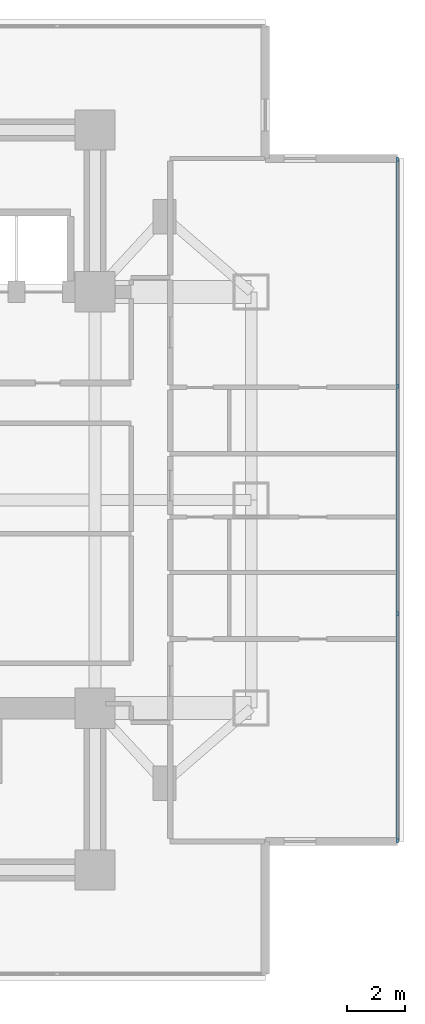
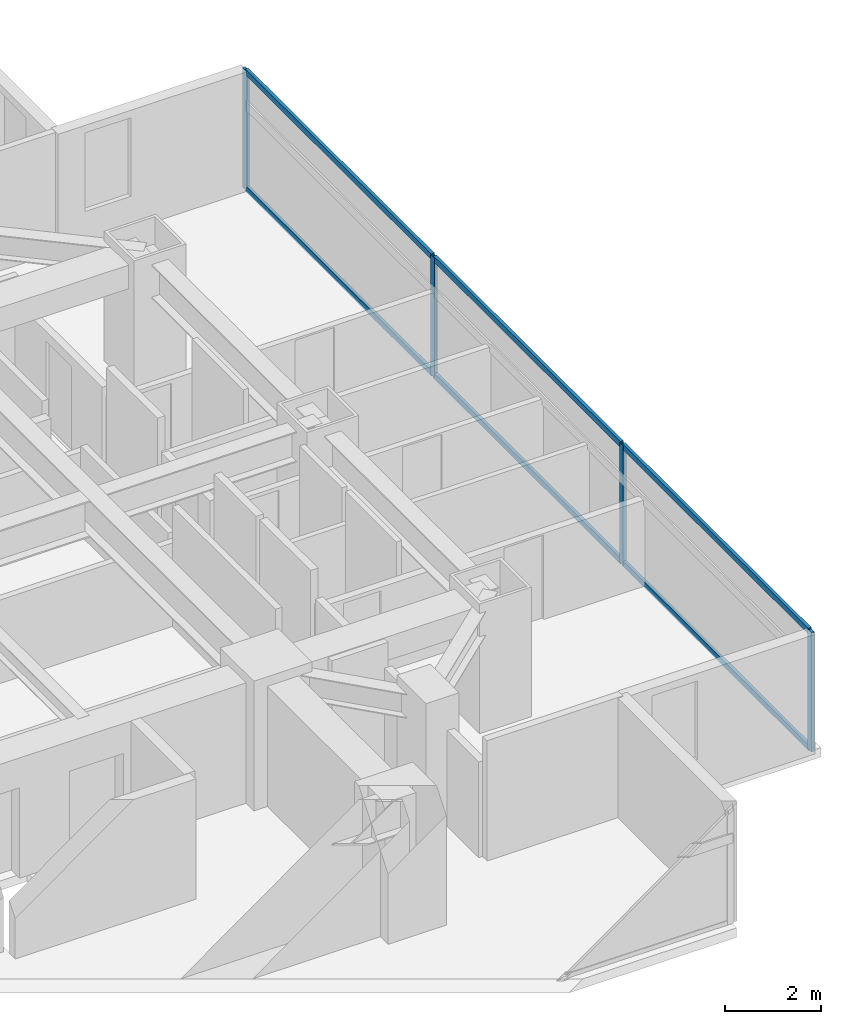
# One storey, part 11 of 26: 10 members, 1 element without a shape of its own.
"""IFC4 building model written with IfcOpenShell, lengths in metres."""

from ifc_helpers import new_model, si_unit, direction, frame, origin, origin_2d, place, context, subcontext, project, spatial, rectangle, extrude, material, material_profile, profile_set, type_object, element, aggregate, save


model = new_model("IFC4")

# Units and contexts
model_context = context("Model", 3, precision=1e-05, world=origin(), true_north=direction((0.0, 1.0)))
body_context = subcontext(model_context, "Body", "Model", "MODEL_VIEW")
ifc_project = project(units=[si_unit("LENGTHUNIT", "METRE"), si_unit("AREAUNIT", "SQUARE_METRE"), si_unit("VOLUMEUNIT", "CUBIC_METRE"), si_unit("PLANEANGLEUNIT", "RADIAN"), si_unit("MASSUNIT", "GRAM", prefix="KILO")], contexts=[model_context])

# Site, building, storey
site_placement = place(None, origin())
site = spatial("IfcSite", under=ifc_project, at=site_placement, CompositionType="ELEMENT")
building_placement = place(site_placement, origin())
building = spatial("IfcBuilding", under=site, at=building_placement, Name="Mirazonda Arch Towers", CompositionType="ELEMENT")
storey_placement = place(building_placement, frame((0.0, 0.0, 38.89990234375)))
storey = spatial("IfcBuildingStorey", under=building, at=storey_placement, Name="L10", CompositionType="ELEMENT", Elevation=38.89990234375)

# Curtain wall, members
ifc_material_1 = material(Name="Anodised Aluminium and Low-E Glass", Category="aluminium")
curtain_wall_type = type_object("IfcCurtainWallType", Name="CW-HTL-UNIT", PredefinedType="NOTDEFINED", material=ifc_material_1)
curtain_wall_placement = place(storey_placement, origin())
curtain_wall = element("IfcCurtainWall", 1, at=curtain_wall_placement, inside=storey, type_object=curtain_wall_type, Name="L10 T2 E Facade CW-L10-T2-E", PredefinedType="NOTDEFINED")
ifc_material_2 = material(Name="Anodised Aluminium Alloy", Category="aluminium")
ifc_material_profile_1 = material_profile(ifc_material_2, rectangle(XDim=0.074951171875, YDim=0.1650390625, at=origin_2d()), Name="ALU-MULL-75x165")
ifc_profile_set_1 = profile_set([ifc_material_profile_1], Name="Anodised Aluminium Alloy")
member_type_1 = type_object("IfcMemberType", Name="MULL-CW-HTL-UNIT", PredefinedType="MULLION", material=ifc_profile_set_1)
member_1_placement = place(storey_placement, frame((95.469970703125, 16.220947265625, 0.0), z_axis=(0.0, 0.0, 1.0), x_axis=(-1.0, 0.0, 0.0)))
member_1 = element("IfcMember", 2, at=member_1_placement, type_object=member_type_1, Name="CW-112 mullion 1", PredefinedType="MULLION", context=body_context, shape_type="SweptSolid", body=[
    extrude(rectangle(XDim=0.074951171875, YDim=0.1650390625, at=origin_2d()), origin(), (0.0, 0.0, 1.0), 3.0400390625),
])
member_2_placement = place(storey_placement, frame((95.469970703125, 24.061279296875, 0.0), z_axis=(0.0, 0.0, 1.0), x_axis=(-1.0, 0.0, 0.0)))
member_2 = element("IfcMember", 3, at=member_2_placement, type_object=member_type_1, Name="CW-112 mullion 2", PredefinedType="MULLION", context=body_context, shape_type="SweptSolid", body=[
    extrude(rectangle(XDim=0.074951171875, YDim=0.1650390625, at=origin_2d()), origin(), (0.0, 0.0, 1.0), 3.0400390625),
])
member_3_placement = place(storey_placement, frame((95.469970703125, 31.938720703125, 0.0), z_axis=(0.0, 0.0, 1.0), x_axis=(-1.0, 0.0, 0.0)))
member_3 = element("IfcMember", 4, at=member_3_placement, type_object=member_type_1, Name="CW-112 mullion 3", PredefinedType="MULLION", context=body_context, shape_type="SweptSolid", body=[
    extrude(rectangle(XDim=0.074951171875, YDim=0.1650390625, at=origin_2d()), origin(), (0.0, 0.0, 1.0), 3.0400390625),
])
member_4_placement = place(storey_placement, frame((95.469970703125, 39.779052734375, 0.0), z_axis=(0.0, 0.0, 1.0), x_axis=(-1.0, 0.0, 0.0)))
member_4 = element("IfcMember", 5, at=member_4_placement, type_object=member_type_1, Name="CW-112 mullion 4", PredefinedType="MULLION", context=body_context, shape_type="SweptSolid", body=[
    extrude(rectangle(XDim=0.074951171875, YDim=0.1650390625, at=origin_2d()), origin(), (0.0, 0.0, 1.0), 3.0400390625),
])
ifc_material_profile_2 = material_profile(ifc_material_2, rectangle(XDim=0.074951171875, YDim=0.14501953125, at=origin_2d()), Name="ALU-TRAN-75x145")
ifc_profile_set_2 = profile_set([ifc_material_profile_2], Name="Anodised Aluminium Alloy")
member_type_2 = type_object("IfcMemberType", Name="TRAN-CW-HTL-UNIT", PredefinedType="USERDEFINED", material=ifc_profile_set_2)
member_5_placement = place(storey_placement, frame((95.469970703125, 16.258544921875, 0.03759765625), z_axis=(0.0, 1.0, 0.0), x_axis=(-1.0, 0.0, 0.0)))
member_5 = element("IfcMember", 6, at=member_5_placement, type_object=member_type_2, Name="CW-112 transom 1.1", ObjectType="TRANSOM", PredefinedType="USERDEFINED", context=body_context, shape_type="SweptSolid", body=[
    extrude(rectangle(XDim=0.074951171875, YDim=0.14501953125, at=origin_2d()), origin(), (0.0, 0.0, 1.0), 7.76513671875),
])
member_6_placement = place(storey_placement, frame((95.469970703125, 16.258544921875, 3.002685546875), z_axis=(0.0, 1.0, 0.0), x_axis=(-1.0, 0.0, 0.0)))
member_6 = element("IfcMember", 7, at=member_6_placement, type_object=member_type_2, Name="CW-112 transom 1.2", ObjectType="TRANSOM", PredefinedType="USERDEFINED", context=body_context, shape_type="SweptSolid", body=[
    extrude(rectangle(XDim=0.074951171875, YDim=0.14501953125, at=origin_2d()), origin(), (0.0, 0.0, 1.0), 7.76513671875),
])
member_7_placement = place(storey_placement, frame((95.469970703125, 24.0986328125, 0.03759765625), z_axis=(0.0, 1.0, 0.0), x_axis=(-1.0, 0.0, 0.0)))
member_7 = element("IfcMember", 8, at=member_7_placement, type_object=member_type_2, Name="CW-112 transom 2.1", ObjectType="TRANSOM", PredefinedType="USERDEFINED", context=body_context, shape_type="SweptSolid", body=[
    extrude(rectangle(XDim=0.074951171875, YDim=0.14501953125, at=origin_2d()), origin(), (0.0, 0.0, 1.0), 7.802734375),
])
member_8_placement = place(storey_placement, frame((95.469970703125, 24.0986328125, 3.002685546875), z_axis=(0.0, 1.0, 0.0), x_axis=(-1.0, 0.0, 0.0)))
member_8 = element("IfcMember", 9, at=member_8_placement, type_object=member_type_2, Name="CW-112 transom 2.2", ObjectType="TRANSOM", PredefinedType="USERDEFINED", context=body_context, shape_type="SweptSolid", body=[
    extrude(rectangle(XDim=0.074951171875, YDim=0.14501953125, at=origin_2d()), origin(), (0.0, 0.0, 1.0), 7.802734375),
])
member_9_placement = place(storey_placement, frame((95.469970703125, 31.976318359375, 0.03759765625), z_axis=(0.0, 1.0, 0.0), x_axis=(-1.0, 0.0, 0.0)))
member_9 = element("IfcMember", 10, at=member_9_placement, type_object=member_type_2, Name="CW-112 transom 3.1", ObjectType="TRANSOM", PredefinedType="USERDEFINED", context=body_context, shape_type="SweptSolid", body=[
    extrude(rectangle(XDim=0.074951171875, YDim=0.14501953125, at=origin_2d()), origin(), (0.0, 0.0, 1.0), 7.76513671875),
])
member_10_placement = place(storey_placement, frame((95.469970703125, 31.976318359375, 3.002685546875), z_axis=(0.0, 1.0, 0.0), x_axis=(-1.0, 0.0, 0.0)))
member_10 = element("IfcMember", 11, at=member_10_placement, type_object=member_type_2, Name="CW-112 transom 3.2", ObjectType="TRANSOM", PredefinedType="USERDEFINED", context=body_context, shape_type="SweptSolid", body=[
    extrude(rectangle(XDim=0.074951171875, YDim=0.14501953125, at=origin_2d()), origin(), (0.0, 0.0, 1.0), 7.76513671875),
])
aggregate(curtain_wall, [member_1, member_2, member_3, member_4, member_5, member_6, member_7, member_8, member_9, member_10])

save(model, "model.ifc")
